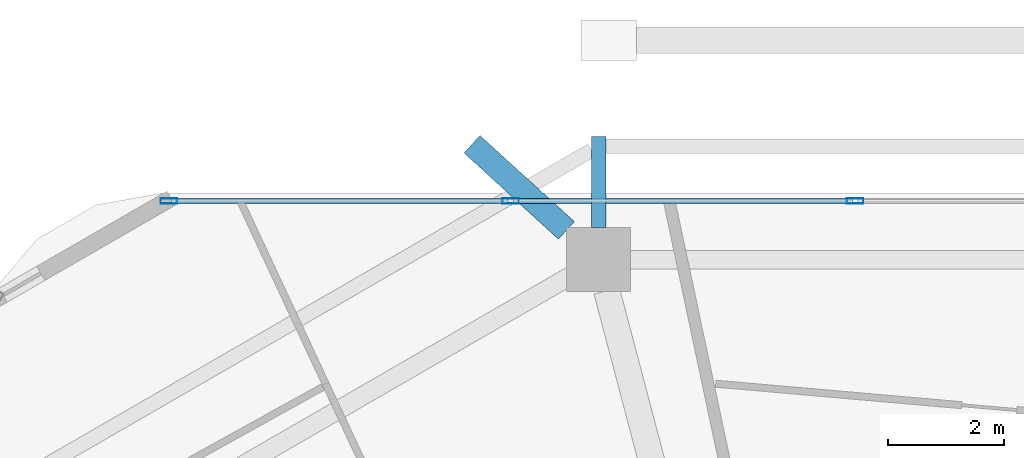
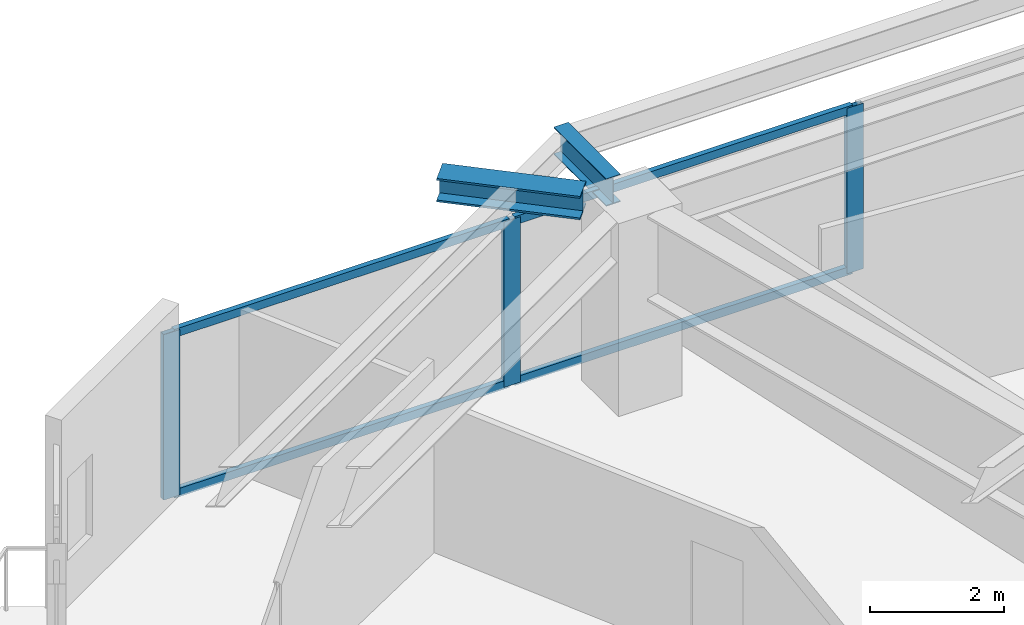
# One storey, part 18 of 33: 7 members, 2 beams, 1 element without a shape of its own.
"""IFC4 building model written with IfcOpenShell, lengths in metres."""

from ifc_helpers import new_model, si_unit, direction, frame, origin, origin_2d, place, context, subcontext, project, spatial, hollow_rectangle, i_section, extrude, material, material_profile, profile_set, type_object, element, aggregate, save


model = new_model("IFC4")

# Units and contexts
model_context = context("Model", 3, precision=1e-05, world=origin(), true_north=direction((0.0, 1.0)))
body_context = subcontext(model_context, "Body", "Model", "MODEL_VIEW")
ifc_project = project(units=[si_unit("LENGTHUNIT", "METRE"), si_unit("AREAUNIT", "SQUARE_METRE"), si_unit("VOLUMEUNIT", "CUBIC_METRE"), si_unit("PLANEANGLEUNIT", "RADIAN"), si_unit("MASSUNIT", "GRAM", prefix="KILO")], contexts=[model_context])

# Site, building, storey
site_placement = place(None, origin())
site = spatial("IfcSite", under=ifc_project, at=site_placement, CompositionType="ELEMENT")
building_placement = place(site_placement, origin())
building = spatial("IfcBuilding", under=site, at=building_placement, Name="Zuhravey Tower", CompositionType="ELEMENT")
storey_placement = place(building_placement, frame((0.0, 0.0, 141.800048828125)))
storey = spatial("IfcBuildingStorey", under=building, at=storey_placement, Name="L35", CompositionType="ELEMENT", Elevation=141.800048828125)

# Curtain wall, members
ifc_material_1 = material(Name="Thermally broken anodised aluminium", Category="aluminium")
curtain_wall_type = type_object("IfcCurtainWallType", Name="Zone 1-2 Residential Curtain Wall CW3", PredefinedType="NOTDEFINED", material=ifc_material_1)
curtain_wall_placement = place(storey_placement, origin())
curtain_wall = element("IfcCurtainWall", 1, at=curtain_wall_placement, inside=storey, type_object=curtain_wall_type, Name="L35 CW3 CW-L35-F2-1", PredefinedType="NOTDEFINED")
ifc_material_2 = material(Name="Anodised aluminium", Category="aluminium")
ifc_material_profile_1 = material_profile(ifc_material_2, hollow_rectangle(XDim=0.090087890625, YDim=0.284912109375, WallThickness=0.0048828125, at=origin_2d()), Name="ALU-RHS-90x285x5")
ifc_profile_set_1 = profile_set([ifc_material_profile_1], Name="Anodised aluminium")
member_type_1 = type_object("IfcMemberType", Name="Curtain-Wall Mullion 90x180", PredefinedType="MULLION", material=ifc_profile_set_1)
member_1_placement = place(storey_placement, frame((21.24560546875, 60.95849609375, 0.0), z_axis=(0.0, 0.0, 1.0), x_axis=(0.0, 1.0, 0.0)))
member_1 = element("IfcMember", 2, at=member_1_placement, type_object=member_type_1, Name="CW3 mullion 1", PredefinedType="MULLION", context=body_context, shape_type="SweptSolid", body=[
    extrude(hollow_rectangle(XDim=0.090087890625, YDim=0.284912109375, WallThickness=0.0048828125, at=origin_2d()), origin(), (0.0, 0.0, 1.0), 3.02001953125),
])
member_2_placement = place(storey_placement, frame((27.120361328125, 60.95849609375, 0.0), z_axis=(0.0, 0.0, 1.0), x_axis=(0.0, 1.0, 0.0)))
member_2 = element("IfcMember", 3, at=member_2_placement, type_object=member_type_1, Name="CW3 mullion 2", PredefinedType="MULLION", context=body_context, shape_type="SweptSolid", body=[
    extrude(hollow_rectangle(XDim=0.090087890625, YDim=0.284912109375, WallThickness=0.0048828125, at=origin_2d()), origin(), (0.0, 0.0, 1.0), 3.02001953125),
])
member_3_placement = place(storey_placement, frame((33.0400390625, 60.95849609375, 0.0), z_axis=(0.0, 0.0, 1.0), x_axis=(0.0, 1.0, 0.0)))
member_3 = element("IfcMember", 4, at=member_3_placement, type_object=member_type_1, Name="CW3 mullion 3", PredefinedType="MULLION", context=body_context, shape_type="SweptSolid", body=[
    extrude(hollow_rectangle(XDim=0.090087890625, YDim=0.284912109375, WallThickness=0.0048828125, at=origin_2d()), origin(), (0.0, 0.0, 1.0), 3.02001953125),
])
ifc_material_profile_2 = material_profile(ifc_material_2, hollow_rectangle(XDim=0.090087890625, YDim=0.14990234375, WallThickness=0.0048828125, at=origin_2d()), Name="ALU-RHS-90x150x5")
ifc_profile_set_2 = profile_set([ifc_material_profile_2], Name="Anodised aluminium")
member_type_2 = type_object("IfcMemberType", Name="Curtain-Wall Transom 90x150", PredefinedType="USERDEFINED", material=ifc_profile_set_2)
member_4_placement = place(storey_placement, frame((21.29052734375, 60.95849609375, 0.044921875), z_axis=(1.0, 0.0, 0.0), x_axis=(0.0, 1.0, 0.0)))
member_4 = element("IfcMember", 5, at=member_4_placement, type_object=member_type_2, Name="CW3 transom 1.1", ObjectType="TRANSOM", PredefinedType="USERDEFINED", context=body_context, shape_type="SweptSolid", body=[
    extrude(hollow_rectangle(XDim=0.090087890625, YDim=0.14990234375, WallThickness=0.0048828125, at=origin_2d()), origin(), (0.0, 0.0, 1.0), 5.78466796875),
])
member_5_placement = place(storey_placement, frame((21.29052734375, 60.95849609375, 2.974853515625), z_axis=(1.0, 0.0, 0.0), x_axis=(0.0, 1.0, 0.0)))
member_5 = element("IfcMember", 6, at=member_5_placement, type_object=member_type_2, Name="CW3 transom 1.2", ObjectType="TRANSOM", PredefinedType="USERDEFINED", context=body_context, shape_type="SweptSolid", body=[
    extrude(hollow_rectangle(XDim=0.090087890625, YDim=0.14990234375, WallThickness=0.0048828125, at=origin_2d()), origin(), (0.0, 0.0, 1.0), 5.78466796875),
])
member_6_placement = place(storey_placement, frame((27.165283203125, 60.95849609375, 0.044921875), z_axis=(1.0, 0.0, 0.0), x_axis=(0.0, 1.0, 0.0)))
member_6 = element("IfcMember", 7, at=member_6_placement, type_object=member_type_2, Name="CW3 transom 2.1", ObjectType="TRANSOM", PredefinedType="USERDEFINED", context=body_context, shape_type="SweptSolid", body=[
    extrude(hollow_rectangle(XDim=0.090087890625, YDim=0.14990234375, WallThickness=0.0048828125, at=origin_2d()), origin(), (0.0, 0.0, 1.0), 5.829833984375),
])
member_7_placement = place(storey_placement, frame((27.165283203125, 60.95849609375, 2.974853515625), z_axis=(1.0, 0.0, 0.0), x_axis=(0.0, 1.0, 0.0)))
member_7 = element("IfcMember", 8, at=member_7_placement, type_object=member_type_2, Name="CW3 transom 2.2", ObjectType="TRANSOM", PredefinedType="USERDEFINED", context=body_context, shape_type="SweptSolid", body=[
    extrude(hollow_rectangle(XDim=0.090087890625, YDim=0.14990234375, WallThickness=0.0048828125, at=origin_2d()), origin(), (0.0, 0.0, 1.0), 5.829833984375),
])
aggregate(curtain_wall, [member_1, member_2, member_3, member_4, member_5, member_6, member_7])

# Beams
ifc_material_3 = material(Name="Steel SM460", Category="steel")
ifc_material_profile_3 = material_profile(ifc_material_3, i_section(OverallWidth=0.406982421875, OverallDepth=0.427978515625, WebThickness=0.02001953125, FlangeThickness=0.034912109375, at=origin_2d()), Name="H-428x407x20x35")
ifc_profile_set_3 = profile_set([ifc_material_profile_3], Name="Steel SM460")
beam_type_1 = type_object("IfcBeamType", Name="Exoskeleton Node Tie Beam H428x407", PredefinedType="BEAM", material=ifc_profile_set_3)
beam_1_placement = place(storey_placement, frame((28.0771484375, 60.453369140625, 3.305908203125), z_axis=(-0.738574587042, 0.674171772901, 0.0), x_axis=(-0.674171772901, -0.738574587042, 0.0)))
element("IfcBeam", 9, at=beam_1_placement, inside=storey, type_object=beam_type_1, Name="L35 Exoskeleton Node Tie NT1-04", PredefinedType="BEAM", context=body_context, shape_type="SweptSolid", body=[
    extrude(i_section(OverallWidth=0.406982421875, OverallDepth=0.427978515625, WebThickness=0.02001953125, FlangeThickness=0.034912109375, at=origin_2d()), origin(), (0.0, 0.0, 1.0), 2.19482421875),
])
ifc_material_4 = material(Name="Steel SM355", Category="steel")
ifc_material_profile_4 = material_profile(ifc_material_4, i_section(OverallWidth=0.25, OverallDepth=0.5, WebThickness=0.010009765625, FlangeThickness=0.01611328125, at=origin_2d()), Name="H-500x250x10x16")
ifc_profile_set_4 = profile_set([ifc_material_profile_4], Name="Steel SM355")
beam_type_2 = type_object("IfcBeamType", Name="Tray Cantilever Spandrel H500x250", PredefinedType="SPANDREL", material=ifc_profile_set_4)
beam_2_placement = place(storey_placement, frame((28.6298828125, 60.50244140625, 3.27001953125), z_axis=(0.0, 1.0, 0.0), x_axis=(-1.0, 0.0, 0.0)))
element("IfcBeam", 10, at=beam_2_placement, inside=storey, type_object=beam_type_2, Name="L35 Sky-Tray Cantilever Arm TSB1-R04", PredefinedType="SPANDREL", context=body_context, shape_type="SweptSolid", body=[
    extrude(i_section(OverallWidth=0.25, OverallDepth=0.5, WebThickness=0.010009765625, FlangeThickness=0.01611328125, at=origin_2d()), origin(), (0.0, 0.0, 1.0), 1.566162109375),
])

save(model, "model.ifc")
